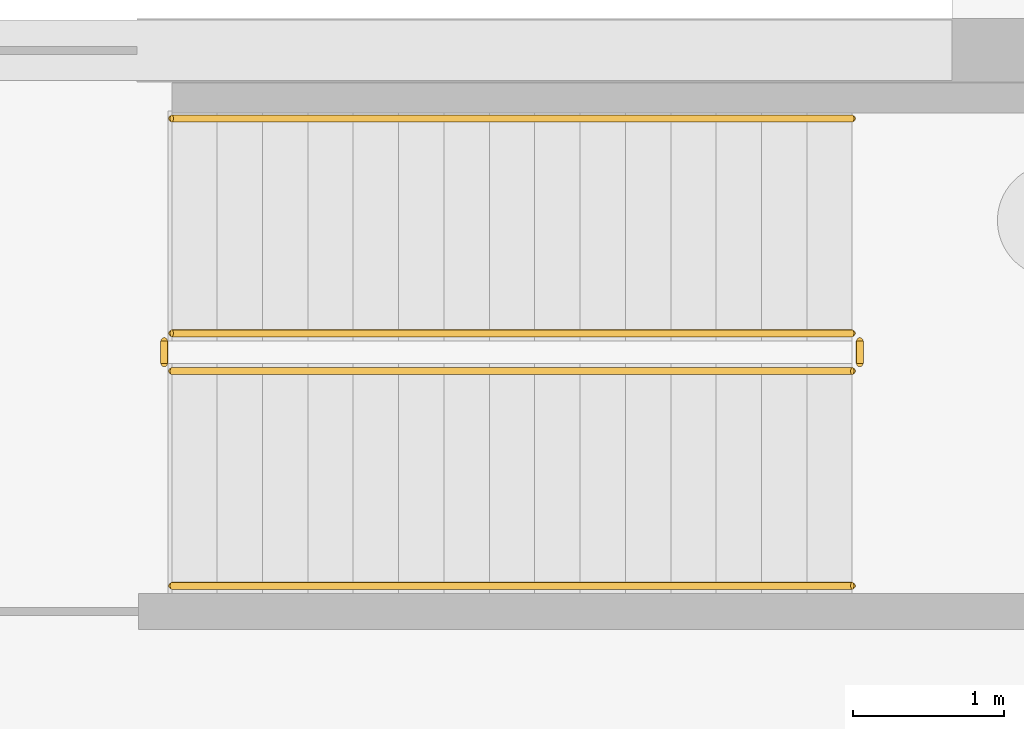
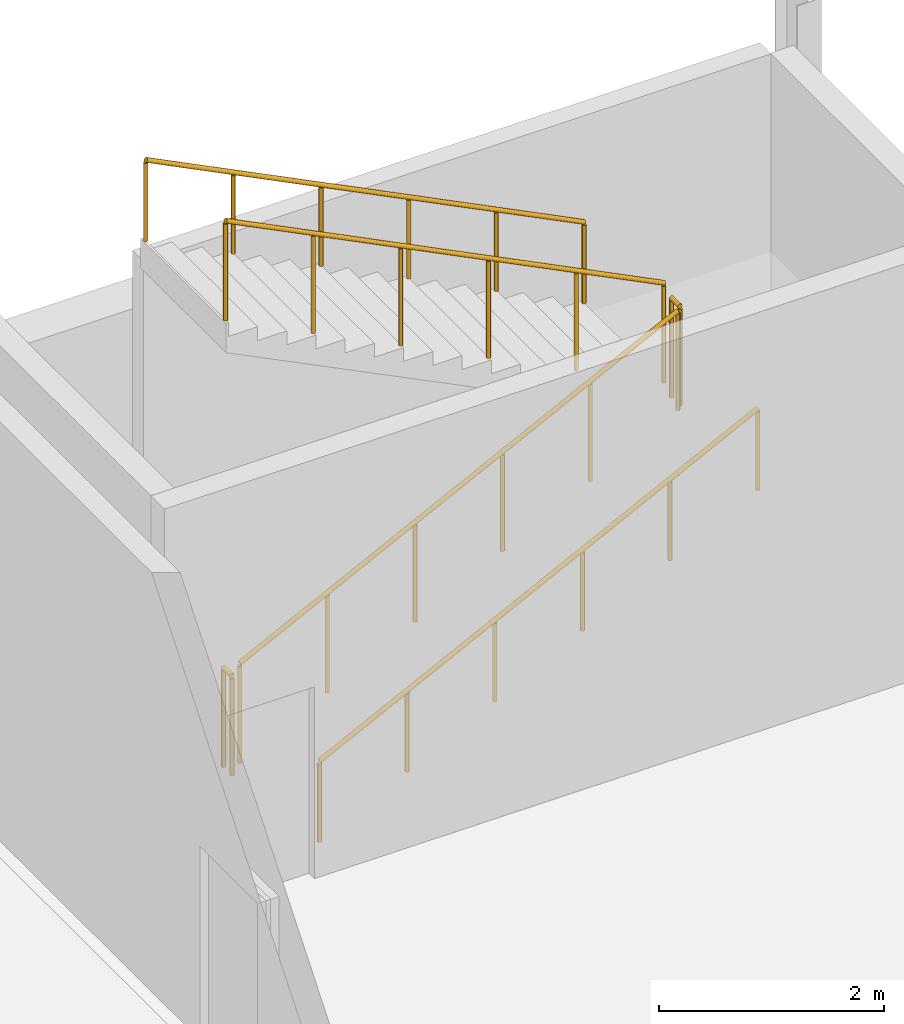
# One storey, part 111 of 112: 6 railings.
"""IFC4 building model written with IfcOpenShell, lengths in metres."""

from ifc_helpers import new_model, si_unit, direction, frame, origin, origin_2d, place, context, subcontext, project, spatial, circle, extrude, material, type_object, element, save


model = new_model("IFC4")

# Units and contexts
model_context = context("Model", 3, precision=1e-05, world=origin(), true_north=direction((0.0, 1.0)))
body_context = subcontext(model_context, "Body", "Model", "MODEL_VIEW")
ifc_project = project(units=[si_unit("LENGTHUNIT", "METRE"), si_unit("AREAUNIT", "SQUARE_METRE"), si_unit("VOLUMEUNIT", "CUBIC_METRE"), si_unit("PLANEANGLEUNIT", "RADIAN"), si_unit("MASSUNIT", "GRAM", prefix="KILO")], contexts=[model_context])

# Site, building, storey
site_placement = place(None, origin())
site = spatial("IfcSite", under=ifc_project, at=site_placement, CompositionType="ELEMENT")
building_placement = place(site_placement, origin())
building = spatial("IfcBuilding", under=site, at=building_placement, Name="Tharagai Park Tramway Depot", CompositionType="ELEMENT")
storey_placement = place(building_placement, origin())
storey = spatial("IfcBuildingStorey", under=building, at=storey_placement, Name="L00", CompositionType="ELEMENT", Elevation=0.0)

# Railings
ifc_material = material(Name="Galvanised steel", Category="steel")
railing_type_1 = type_object("IfcRailingType", Name="HR-02", PredefinedType="GUARDRAIL", material=ifc_material)
railing_1_placement = place(storey_placement, frame((209.0400390625, 132.8798828125, 0.14990234375)))
element("IfcRailing", 1, at=railing_1_placement, inside=storey, type_object=railing_type_1, Name="L00 ST-13 stair guard 1", PredefinedType="GUARDRAIL", context=body_context, shape_type="SweptSolid", body=[
    extrude(circle(Radius=0.02392578125, at=origin_2d()), frame((0.0, 0.0, 1.076171875), z_axis=(0.894427191, 0.0, 0.4472135955), x_axis=(0.0, 1.0, 0.0)), (0.0, 0.0, 1.0), 5.03125),
    extrude(circle(Radius=0.02099609375, at=origin_2d()), origin(), (0.0, 0.0, 1.0), 1.052001953125),
    extrude(circle(Radius=0.02099609375, at=origin_2d()), frame((0.89990234375, 0.0, 0.449951171875)), (0.0, 0.0, 1.0), 1.052001953125),
    extrude(circle(Radius=0.02099609375, at=origin_2d()), frame((1.800048828125, 0.0, 0.89990234375)), (0.0, 0.0, 1.0), 1.052001953125),
    extrude(circle(Radius=0.02099609375, at=origin_2d()), frame((2.699951171875, 0.0, 1.35009765625)), (0.0, 0.0, 1.0), 1.052001953125),
    extrude(circle(Radius=0.02099609375, at=origin_2d()), frame((3.60009765625, 0.0, 1.800048828125)), (0.0, 0.0, 1.0), 1.052001953125),
    extrude(circle(Radius=0.02099609375, at=origin_2d()), frame((4.5, 0.0, 2.25)), (0.0, 0.0, 1.0), 1.052001953125),
])
railing_2_placement = place(storey_placement, frame((213.590087890625, 132.929931640625, 2.39990234375)))
element("IfcRailing", 2, at=railing_2_placement, inside=storey, type_object=railing_type_1, Name="L00 ST-13 stair guard 2", PredefinedType="GUARDRAIL", context=body_context, shape_type="SweptSolid", body=[
    extrude(circle(Radius=0.02392578125, at=origin_2d()), frame((0.0, 0.0, 1.076171875), z_axis=(0.0, 1.0, 0.0), x_axis=(-1.0, 0.0, 0.0)), (0.0, 0.0, 1.0), 0.150146484375),
    extrude(circle(Radius=0.02099609375, at=origin_2d()), origin(), (0.0, 0.0, 1.0), 1.052001953125),
    extrude(circle(Radius=0.02099609375, at=origin_2d()), frame((0.0, 0.150146484375, 0.0)), (0.0, 0.0, 1.0), 1.052001953125),
])
railing_3_placement = place(storey_placement, frame((213.5400390625, 133.1298828125, 2.550048828125)))
element("IfcRailing", 3, at=railing_3_placement, inside=storey, type_object=railing_type_1, Name="L00 ST-13 stair guard 3", PredefinedType="GUARDRAIL", context=body_context, shape_type="SweptSolid", body=[
    extrude(circle(Radius=0.02392578125, at=origin_2d()), frame((0.0, 0.0, 1.076171875), z_axis=(-0.894427191, 0.0, 0.4472135955), x_axis=(0.0, -1.0, 0.0)), (0.0, 0.0, 1.0), 5.03125),
    extrude(circle(Radius=0.02099609375, at=origin_2d()), origin(), (0.0, 0.0, 1.0), 1.052001953125),
    extrude(circle(Radius=0.02099609375, at=origin_2d()), frame((-0.89990234375, 0.0, 0.449951171875)), (0.0, 0.0, 1.0), 1.052001953125),
    extrude(circle(Radius=0.02099609375, at=origin_2d()), frame((-1.800048828125, 0.0, 0.89990234375)), (0.0, 0.0, 1.0), 1.052001953125),
    extrude(circle(Radius=0.02099609375, at=origin_2d()), frame((-2.699951171875, 0.0, 1.35009765625)), (0.0, 0.0, 1.0), 1.052001953125),
    extrude(circle(Radius=0.02099609375, at=origin_2d()), frame((-3.60009765625, 0.0, 1.800048828125)), (0.0, 0.0, 1.0), 1.052001953125),
    extrude(circle(Radius=0.02099609375, at=origin_2d()), frame((-4.5, 0.0, 2.25)), (0.0, 0.0, 1.0), 1.052001953125),
])
railing_4_placement = place(storey_placement, frame((208.989990234375, 132.929931640625, 0.0)))
element("IfcRailing", 4, at=railing_4_placement, inside=storey, type_object=railing_type_1, Name="L00 ST-13 stair guard 4", PredefinedType="GUARDRAIL", context=body_context, shape_type="SweptSolid", body=[
    extrude(circle(Radius=0.02392578125, at=origin_2d()), frame((0.0, 0.0, 1.076171875), z_axis=(0.0, 1.0, 0.0), x_axis=(-1.0, 0.0, 0.0)), (0.0, 0.0, 1.0), 0.150146484375),
    extrude(circle(Radius=0.02099609375, at=origin_2d()), origin(), (0.0, 0.0, 1.0), 1.052001953125),
    extrude(circle(Radius=0.02099609375, at=origin_2d()), frame((0.0, 0.150146484375, 0.0)), (0.0, 0.0, 1.0), 1.052001953125),
])
railing_type_2 = type_object("IfcRailingType", Name="HR-03", PredefinedType="HANDRAIL", material=ifc_material)
railing_5_placement = place(storey_placement, frame((209.0400390625, 131.4599609375, 0.14990234375)))
element("IfcRailing", 5, at=railing_5_placement, inside=storey, type_object=railing_type_2, Name="L00 ST-13 stair handrail 1", PredefinedType="HANDRAIL", context=body_context, shape_type="SweptSolid", body=[
    extrude(circle(Radius=0.02392578125, at=origin_2d()), frame((0.0, 0.0, 0.8759765625), z_axis=(0.894427191, 0.0, 0.4472135955), x_axis=(0.0, 1.0, 0.0)), (0.0, 0.0, 1.0), 5.03125),
    extrude(circle(Radius=0.02099609375, at=origin_2d()), origin(), (0.0, 0.0, 1.0), 0.851806640625),
    extrude(circle(Radius=0.02099609375, at=origin_2d()), frame((0.89990234375, 0.0, 0.449951171875)), (0.0, 0.0, 1.0), 0.851806640625),
    extrude(circle(Radius=0.02099609375, at=origin_2d()), frame((1.800048828125, 0.0, 0.89990234375)), (0.0, 0.0, 1.0), 0.851806640625),
    extrude(circle(Radius=0.02099609375, at=origin_2d()), frame((2.699951171875, 0.0, 1.35009765625)), (0.0, 0.0, 1.0), 0.851806640625),
    extrude(circle(Radius=0.02099609375, at=origin_2d()), frame((3.60009765625, 0.0, 1.800048828125)), (0.0, 0.0, 1.0), 0.851806640625),
    extrude(circle(Radius=0.02099609375, at=origin_2d()), frame((4.5, 0.0, 2.25)), (0.0, 0.0, 1.0), 0.851806640625),
])
railing_6_placement = place(storey_placement, frame((213.5400390625, 134.550048828125, 2.550048828125)))
element("IfcRailing", 6, at=railing_6_placement, inside=storey, type_object=railing_type_2, Name="L00 ST-13 stair handrail 2", PredefinedType="HANDRAIL", context=body_context, shape_type="SweptSolid", body=[
    extrude(circle(Radius=0.02392578125, at=origin_2d()), frame((0.0, 0.0, 0.8759765625), z_axis=(-0.894427191, 0.0, 0.4472135955), x_axis=(0.0, -1.0, 0.0)), (0.0, 0.0, 1.0), 5.03125),
    extrude(circle(Radius=0.02099609375, at=origin_2d()), origin(), (0.0, 0.0, 1.0), 0.851806640625),
    extrude(circle(Radius=0.02099609375, at=origin_2d()), frame((-0.89990234375, 0.0, 0.449951171875)), (0.0, 0.0, 1.0), 0.851806640625),
    extrude(circle(Radius=0.02099609375, at=origin_2d()), frame((-1.800048828125, 0.0, 0.89990234375)), (0.0, 0.0, 1.0), 0.851806640625),
    extrude(circle(Radius=0.02099609375, at=origin_2d()), frame((-2.699951171875, 0.0, 1.35009765625)), (0.0, 0.0, 1.0), 0.851806640625),
    extrude(circle(Radius=0.02099609375, at=origin_2d()), frame((-3.60009765625, 0.0, 1.800048828125)), (0.0, 0.0, 1.0), 0.851806640625),
    extrude(circle(Radius=0.02099609375, at=origin_2d()), frame((-4.5, 0.0, 2.25)), (0.0, 0.0, 1.0), 0.851806640625),
])

save(model, "model.ifc")
